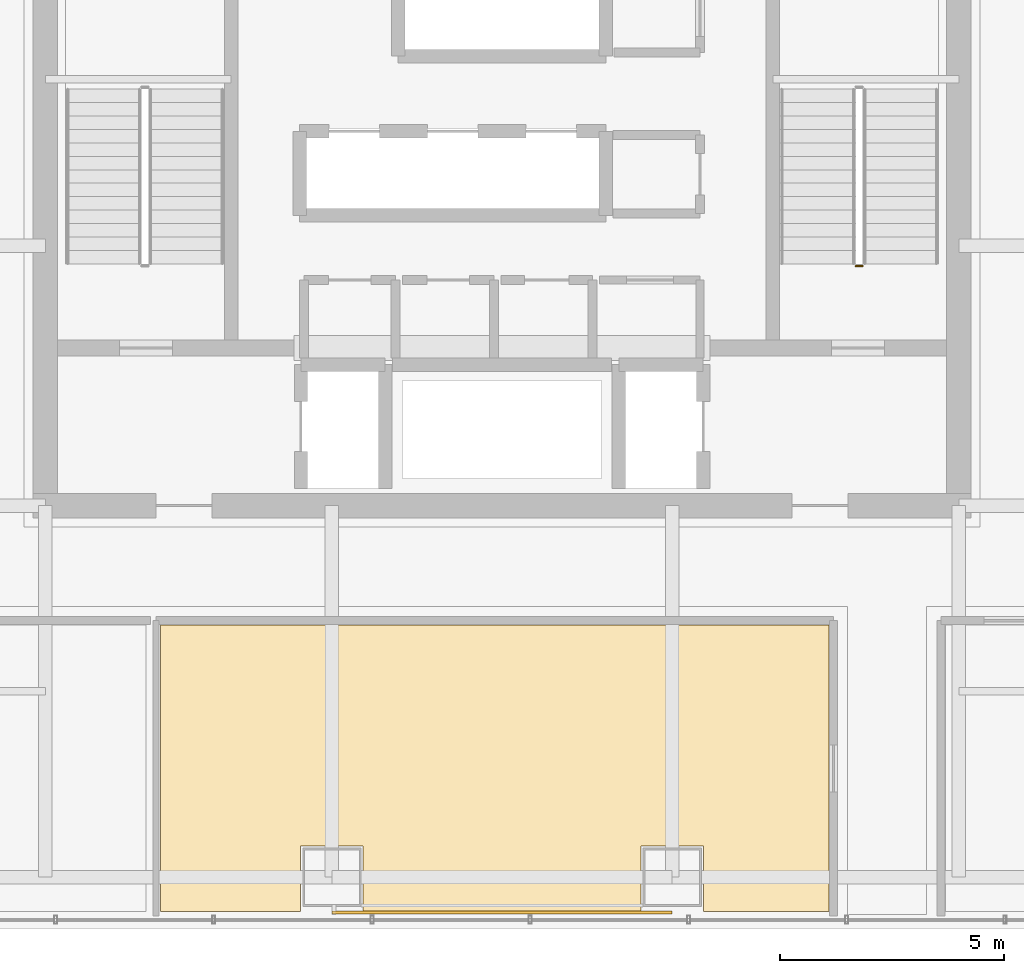
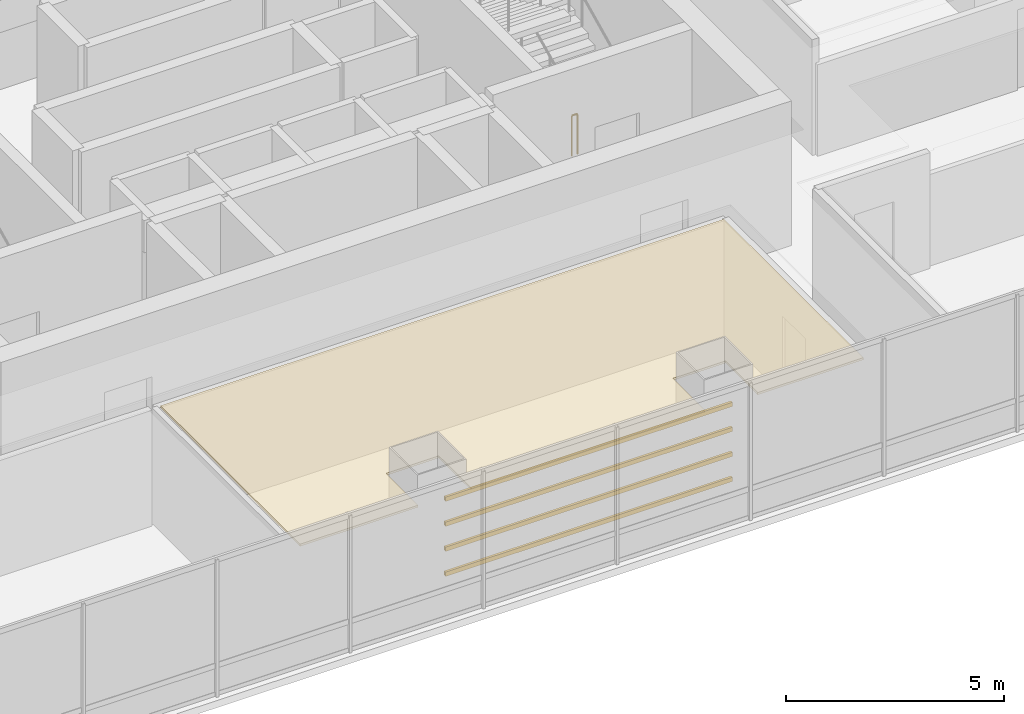
# One storey, part 38 of 42: 4 shading devices, 1 covering, 1 railing.
"""IFC4 building model written with IfcOpenShell, lengths in metres."""

import ifcopenshell
import ifcopenshell.guid

model = None  # the IFC model being written
_history = None  # IfcOwnerHistory: only IFC2X3 demands one
_inside = {}  # id of a spatial element -> (the spatial element, [elements in it])
_under = {}  # id of a project, library or spatial element -> (it, [spatial elements below it])
_declared = {}  # id of a project -> (the project, [libraries it declares])
_typed = {}  # id of a type object -> (the type object, [elements of that type])
_made_of = {}  # id of a material, layer set ... -> (it, [elements and type objects made of it])


def new_model(schema):
    """Start an empty IFC model of exactly this schema.

    Asked for "IFC4X3", IfcOpenShell would pick the latest addendum, in which some entities
    have other attributes; the version numbers below select the first issue.
    IFC2X3 requires an IfcOwnerHistory on every rooted entity: one is made here for all.
    """
    global model, _history
    if schema == "IFC4X3":
        model = ifcopenshell.file(schema_version=(4, 3, 0, 0))
    else:
        model = ifcopenshell.file(schema=schema)
    _inside.clear()
    _under.clear()
    _declared.clear()
    _typed.clear()
    _made_of.clear()
    _history = None
    if model.schema == "IFC2X3":
        org = make("IfcOrganization", Name="unknown")
        user = make(
            "IfcPersonAndOrganization",
            ThePerson=make("IfcPerson", FamilyName="unknown"),
            TheOrganization=org,
        )
        app = make(
            "IfcApplication",
            ApplicationDeveloper=org,
            Version="unknown",
            ApplicationFullName="unknown",
            ApplicationIdentifier="unknown",
        )
        _history = make(
            "IfcOwnerHistory",
            OwningUser=user,
            OwningApplication=app,
            ChangeAction="ADDED",
            CreationDate=0,
        )
    return model


def make(cls, **values):
    """One entity of the class cls with the attributes given. An attribute that is None is left unset."""
    return model.create_entity(
        cls, **{name: value for name, value in values.items() if value is not None}
    )


def rooted(cls, **values):
    """An entity with a GlobalId (a new one), such as an element, a storey or a relation."""
    return make(cls, GlobalId=ifcopenshell.guid.new(), OwnerHistory=_history, **values)


def si_unit(unit_type, name, prefix=None):
    """IfcSIUnit, for example si_unit("LENGTHUNIT", "METRE", prefix="MILLI")."""
    return make("IfcSIUnit", UnitType=unit_type, Prefix=prefix, Name=name)


def assignment(units):
    """IfcUnitAssignment: the units of a project."""
    return None if units is None else make("IfcUnitAssignment", Units=units)


def point(xyz):
    """IfcCartesianPoint."""
    return None if xyz is None else make("IfcCartesianPoint", Coordinates=xyz)


def direction(xyz):
    """IfcDirection."""
    return None if xyz is None else make("IfcDirection", DirectionRatios=xyz)


def frame(location, z_axis=None, x_axis=None):
    """IfcAxis2Placement3D, a coordinate frame: its origin and axes. An axis left out is left unset."""
    return make(
        "IfcAxis2Placement3D",
        Location=point(location),
        Axis=direction(z_axis),
        RefDirection=direction(x_axis),
    )


def frame_2d(location, x_axis=None):
    """IfcAxis2Placement2D, a coordinate frame in the plane: its origin and x axis."""
    return make(
        "IfcAxis2Placement2D", Location=point(location), RefDirection=direction(x_axis)
    )


def origin():
    """The frame at (0, 0, 0) with its axes left unset."""
    return frame((0.0, 0.0, 0.0))


def origin_2d():
    """The frame at (0, 0) in the plane with its x axis left unset."""
    return frame_2d((0.0, 0.0))


def place(relative_to, where):
    """IfcLocalPlacement: puts the frame where relative to a parent placement (None: the world)."""
    return make(
        "IfcLocalPlacement", PlacementRelTo=relative_to, RelativePlacement=where
    )


def context(
    kind, dimensions, precision=None, world=None, true_north=None, identifier=None
):
    """IfcGeometricRepresentationContext, for example the 3D "Model" context."""
    return make(
        "IfcGeometricRepresentationContext",
        ContextIdentifier=identifier,
        ContextType=kind,
        CoordinateSpaceDimension=dimensions,
        Precision=precision,
        WorldCoordinateSystem=world,
        TrueNorth=true_north,
    )


def subcontext(parent, identifier, kind, view, scale=None):
    """IfcGeometricRepresentationSubContext, for example "Body" below "Model"."""
    return make(
        "IfcGeometricRepresentationSubContext",
        ContextIdentifier=identifier,
        ContextType=kind,
        ParentContext=parent,
        TargetScale=scale,
        TargetView=view,
    )


def project(units=None, contexts=None):
    """IfcProject with its units and contexts."""
    return rooted(
        "IfcProject",
        Name="project",
        RepresentationContexts=contexts,
        UnitsInContext=assignment(units),
    )


def spatial(cls, under=None, at=None, **own):
    """A site, building, storey or space (cls), placed at a placement, below another one or the project."""
    s = rooted(cls, ObjectPlacement=at, **own)
    if under is not None:
        _under.setdefault(under.id(), (under, []))[1].append(s)
    return s


def polyline(points):
    """IfcPolyline through the points."""
    return make("IfcPolyline", Points=[point(p) for p in points])


def profile(cls, at=None, kind="AREA", **sizes):
    """A parametric profile (cls). Its sizes go by their IFC names, for example OverallWidth=200.0."""
    return make(cls, ProfileType=kind, Position=at, **sizes)


def hollow_rectangle(**sizes):
    """IfcRectangleHollowProfileDef."""
    return profile("IfcRectangleHollowProfileDef", **sizes)


def circle(**sizes):
    """IfcCircleProfileDef."""
    return profile("IfcCircleProfileDef", **sizes)


def outline(outer, holes=None, kind="AREA"):
    """IfcArbitraryClosedProfileDef: a profile drawn as a closed curve; with holes, ...WithVoids."""
    if holes is None:
        return make("IfcArbitraryClosedProfileDef", ProfileType=kind, OuterCurve=outer)
    return make(
        "IfcArbitraryProfileDefWithVoids",
        ProfileType=kind,
        OuterCurve=outer,
        InnerCurves=holes,
    )


def extrude(swept, where, along, depth):
    """IfcExtrudedAreaSolid: the profile swept, set in the frame where, extruded along a direction by depth."""
    return make(
        "IfcExtrudedAreaSolid",
        SweptArea=swept,
        Position=where,
        ExtrudedDirection=direction(along),
        Depth=depth,
    )


def shape(context_of_items, identifier, shape_type, items):
    """IfcShapeRepresentation: the items that make up one representation, for example the "Body"."""
    return make(
        "IfcShapeRepresentation",
        ContextOfItems=context_of_items,
        RepresentationIdentifier=identifier,
        RepresentationType=shape_type,
        Items=items,
    )


def material(Name=None, Category=None):
    """IfcMaterial."""
    return make("IfcMaterial", Name=Name, Category=Category)


def layer(
    of_material, thickness, ventilated=None, Name=None, Category=None, Priority=None
):
    """IfcMaterialLayer: one layer of a wall or slab, of a material (None: an air gap)."""
    return make(
        "IfcMaterialLayer",
        Material=of_material,
        LayerThickness=thickness,
        IsVentilated=ventilated,
        Name=Name,
        Category=Category,
        Priority=Priority,
    )


def layer_set(layers, Name=None):
    """IfcMaterialLayerSet."""
    return make("IfcMaterialLayerSet", MaterialLayers=layers, LayerSetName=Name)


def material_profile(
    of_material, cross_section, Name=None, Category=None, Priority=None
):
    """IfcMaterialProfile: a cross section and its material."""
    return make(
        "IfcMaterialProfile",
        Name=Name,
        Material=of_material,
        Profile=cross_section,
        Priority=Priority,
        Category=Category,
    )


def profile_set(profiles, Name=None, composite=None):
    """IfcMaterialProfileSet."""
    return make(
        "IfcMaterialProfileSet",
        Name=Name,
        MaterialProfiles=profiles,
        CompositeProfile=composite,
    )


def made_of(thing, what):
    """Note that an element or type object is made of a material, layer set ...; save() writes the relation."""
    if what is not None:
        _made_of.setdefault(what.id(), (what, []))[1].append(thing)
    return thing


def type_object(cls, material=None, **own):
    """A type object (cls), such as IfcWallType, which elements share."""
    return made_of(rooted(cls, **own), material)


def element(
    cls,
    number,
    at=None,
    inside=None,
    cuts=None,
    type_object=None,
    material=None,
    context=None,
    identifier="Body",
    shape_type=None,
    held_by="IfcProductDefinitionShape",
    body=None,
    shapes=None,
    **own,
):
    """One element of the class cls, such as IfcWall. Its Tag is "e" and its number.

    at: its placement. inside: the storey or other place that contains it. cuts: it is an
    opening in that element (IfcRelVoidsElement). A single representation is given by context,
    identifier, shape_type and body (its items); several are given by shapes. held_by: the class
    of the entity that holds the representations. save() writes the other relations.
    """
    e = rooted(cls, Tag="e%d" % number, ObjectPlacement=at, **own)
    if body is not None:
        shapes = [shape(context, identifier, shape_type, body)]
    if shapes is not None:
        e.Representation = make(held_by, Representations=shapes)
    if inside is not None:
        _inside.setdefault(inside.id(), (inside, []))[1].append(e)
    if cuts is not None:
        rooted(
            "IfcRelVoidsElement", RelatingBuildingElement=cuts, RelatedOpeningElement=e
        )
    if type_object is not None:
        _typed.setdefault(type_object.id(), (type_object, []))[1].append(e)
    return made_of(e, material)


def aggregate(whole, parts):
    """IfcRelAggregates: a whole, such as a stair, and the parts it consists of."""
    return rooted("IfcRelAggregates", RelatingObject=whole, RelatedObjects=parts)


def save(model, path):
    """Write the relations noted so far, then the file.

    IfcRelAggregates (storeys below a building ...), IfcRelContainedInSpatialStructure (elements
    in a storey), IfcRelDefinesByType, IfcRelAssociatesMaterial and IfcRelDeclares: one each for
    every whole, place, type object, material and project.
    """
    for whole, parts in _under.values():
        aggregate(whole, parts)
    for where, things in _inside.values():
        rooted(
            "IfcRelContainedInSpatialStructure",
            RelatedElements=things,
            RelatingStructure=where,
        )
    for kind, things in _typed.values():
        rooted("IfcRelDefinesByType", RelatedObjects=things, RelatingType=kind)
    for what, things in _made_of.values():
        rooted("IfcRelAssociatesMaterial", RelatedObjects=things, RelatingMaterial=what)
    for by, libraries in _declared.values():
        rooted("IfcRelDeclares", RelatingContext=by, RelatedDefinitions=libraries)
    model.write(path)


model = new_model("IFC4")

# Units and contexts
model_context = context("Model", 3, precision=1e-05, world=origin(), true_north=direction((0.0, 1.0)))
body_context = subcontext(model_context, "Body", "Model", "MODEL_VIEW")
ifc_project = project(units=[si_unit("LENGTHUNIT", "METRE"), si_unit("AREAUNIT", "SQUARE_METRE"), si_unit("VOLUMEUNIT", "CUBIC_METRE"), si_unit("PLANEANGLEUNIT", "RADIAN"), si_unit("MASSUNIT", "GRAM", prefix="KILO")], contexts=[model_context])

# Site, building, storey
site_placement = place(None, origin())
site = spatial("IfcSite", under=ifc_project, at=site_placement, CompositionType="ELEMENT")
building_placement = place(site_placement, origin())
building = spatial("IfcBuilding", under=site, at=building_placement, Name="Punatoya Terracotta Tower", CompositionType="ELEMENT")
storey_placement = place(building_placement, frame((0.0, 0.0, 263.550048828125)))
storey = spatial("IfcBuildingStorey", under=building, at=storey_placement, Name="L62", CompositionType="ELEMENT", Elevation=263.550048828125)

# Covering
ifc_material_1 = material(Name="Acoustic Mineral Fibre Ceiling")
ifc_layer = layer(ifc_material_1, 0.06005859375)
ifc_layer_set = layer_set([ifc_layer], Name="Acoustic Mineral Fibre Ceiling")
covering_type = type_object("IfcCoveringType", Name="COV-CEIL-60", PredefinedType="CEILING", material=ifc_layer_set)
covering_placement = place(storey_placement, frame((0.0, 0.0, 3.239990234375)))
element("IfcCovering", 1, at=covering_placement, inside=storey, type_object=covering_type, Name="L62 Open-Plan Client Media Salon Acoustic Ceiling", PredefinedType="CEILING", context=body_context, shape_type="SweptSolid", body=[
    extrude(outline(polyline([(-4.5, -18.27001953125), (-4.5, -16.800048828125), (-3.10009765625, -16.800048828125), (-3.10009765625, -18.27001953125), (3.10009765625, -18.27001953125), (3.10009765625, -16.800048828125), (4.5, -16.800048828125), (4.5, -18.27001953125), (7.300048828125, -18.27001953125), (7.300048828125, -11.8701171875), (-7.6259765625, -11.8701171875), (-7.6259765625, -18.27001953125), (-4.5, -18.27001953125)])), origin(), (0.0, 0.0, 1.0), 0.06005859375),
])

# Railing
ifc_material_2 = material(Name="Steel S355", Category="steel")
railing_type = type_object("IfcRailingType", Name="RLG-GRD-1150", PredefinedType="GUARDRAIL", material=ifc_material_2)
railing_placement = place(storey_placement, frame((8.050048828125, -3.85009765625, 0.0)))
element("IfcRailing", 2, at=railing_placement, inside=storey, type_object=railing_type, Name="L62 ST-2 stair guard 4", PredefinedType="GUARDRAIL", context=body_context, shape_type="SweptSolid", body=[
    extrude(circle(Radius=0.02392578125, at=origin_2d()), frame((0.0, 0.0, 1.1259765625), z_axis=(-1.0, 0.0, 0.0), x_axis=(0.0, -1.0, 0.0)), (0.0, 0.0, 1.0), 0.150146484375),
    extrude(circle(Radius=0.02099609375, at=origin_2d()), origin(), (0.0, 0.0, 1.0), 1.101806640625),
    extrude(circle(Radius=0.02099609375, at=origin_2d()), frame((-0.150146484375, 0.0, 0.0)), (0.0, 0.0, 1.0), 1.101806640625),
])

# Shading devices
ifc_material_3 = material(Name="Architectural Fired Terracotta", Category="masonry")
ifc_material_profile = material_profile(ifc_material_3, hollow_rectangle(XDim=0.06494140625, YDim=0.1201171875, WallThickness=0.014892578125, at=origin_2d()))
ifc_profile_set = profile_set([ifc_material_profile], Name="Architectural Fired Terracotta")
shading_device_type = type_object("IfcShadingDeviceType", Name="SHD-BAG-120", PredefinedType="USERDEFINED", material=ifc_profile_set)
for number, where, z_axis, x_axis, name in (
    (3, (-3.800048828125, -18.2900390625, 1.14990234375), (1.0, 0.0, 0.0), (0.0, 1.0, 0.0), "L62 Fired Terracotta Baguette Louvre BAG-L62-S-01"),
    (4, (-3.800048828125, -18.2900390625, 1.849853515625), (1.0, 0.0, 0.0), (0.0, 1.0, 0.0), "L62 Fired Terracotta Baguette Louvre BAG-L62-S-02"),
    (5, (-3.800048828125, -18.2900390625, 2.550048828125), (1.0, 0.0, 0.0), (0.0, 1.0, 0.0), "L62 Fired Terracotta Baguette Louvre BAG-L62-S-03"),
    (6, (-3.800048828125, -18.2900390625, 3.25), (1.0, 0.0, 0.0), (0.0, 1.0, 0.0), "L62 Fired Terracotta Baguette Louvre BAG-L62-S-04"),
):
    element("IfcShadingDevice", number, at=place(storey_placement, frame(where, z_axis=z_axis, x_axis=x_axis)), inside=storey, type_object=shading_device_type, Name=name, ObjectType="BAGUETTE", PredefinedType="USERDEFINED", context=body_context, shape_type="SweptSolid", body=[
        extrude(hollow_rectangle(XDim=0.06494140625, YDim=0.1201171875, WallThickness=0.014892578125, at=origin_2d()), origin(), (0.0, 0.0, 1.0), 7.60009765625),
    ])

save(model, "model.ifc")
